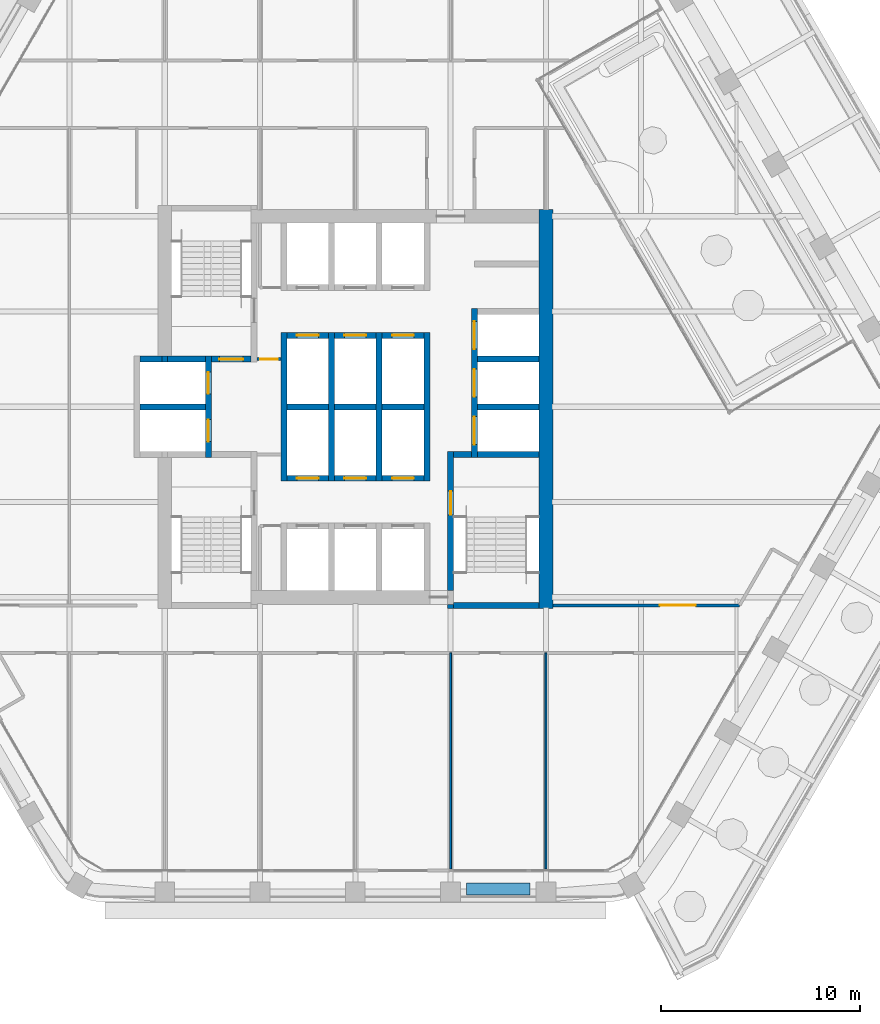
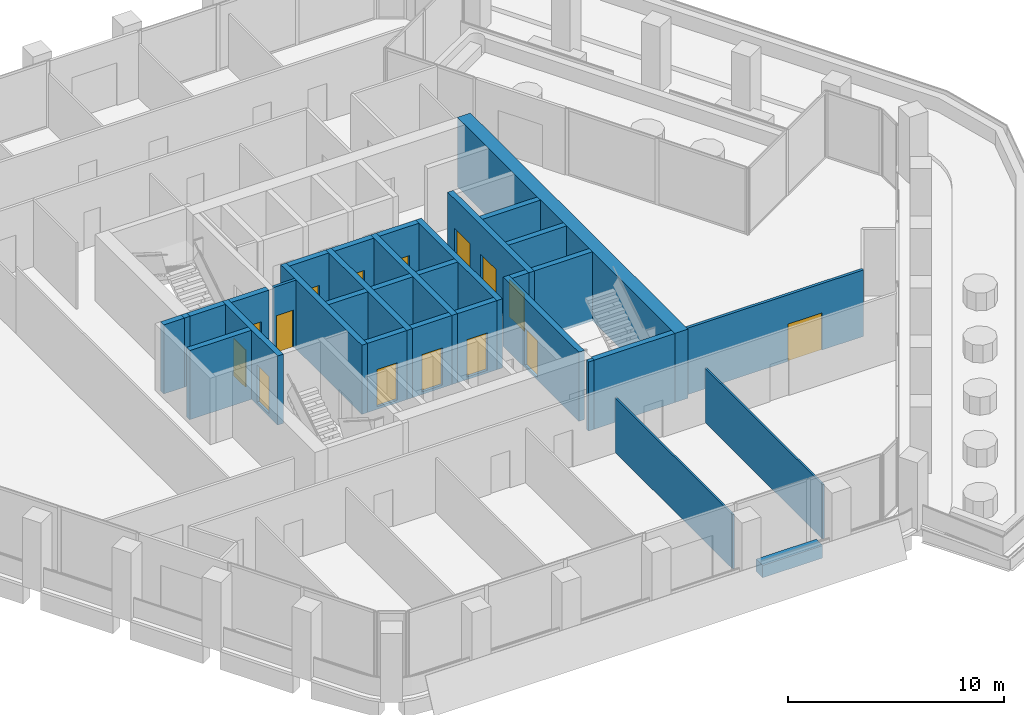
# One storey, part 12 of 17: 33 walls, 15 doors, 15 openings.
"""IFC4 building model written with IfcOpenShell, lengths in metres."""

import ifcopenshell
import ifcopenshell.guid

model = None  # the IFC model being written
_history = None  # IfcOwnerHistory: only IFC2X3 demands one
_inside = {}  # id of a spatial element -> (the spatial element, [elements in it])
_under = {}  # id of a project, library or spatial element -> (it, [spatial elements below it])
_declared = {}  # id of a project -> (the project, [libraries it declares])
_typed = {}  # id of a type object -> (the type object, [elements of that type])
_made_of = {}  # id of a material, layer set ... -> (it, [elements and type objects made of it])


def new_model(schema):
    """Start an empty IFC model of exactly this schema.

    Asked for "IFC4X3", IfcOpenShell would pick the latest addendum, in which some entities
    have other attributes; the version numbers below select the first issue.
    IFC2X3 requires an IfcOwnerHistory on every rooted entity: one is made here for all.
    """
    global model, _history
    if schema == "IFC4X3":
        model = ifcopenshell.file(schema_version=(4, 3, 0, 0))
    else:
        model = ifcopenshell.file(schema=schema)
    _inside.clear()
    _under.clear()
    _declared.clear()
    _typed.clear()
    _made_of.clear()
    _history = None
    if model.schema == "IFC2X3":
        org = make("IfcOrganization", Name="unknown")
        user = make(
            "IfcPersonAndOrganization",
            ThePerson=make("IfcPerson", FamilyName="unknown"),
            TheOrganization=org,
        )
        app = make(
            "IfcApplication",
            ApplicationDeveloper=org,
            Version="unknown",
            ApplicationFullName="unknown",
            ApplicationIdentifier="unknown",
        )
        _history = make(
            "IfcOwnerHistory",
            OwningUser=user,
            OwningApplication=app,
            ChangeAction="ADDED",
            CreationDate=0,
        )
    return model


def make(cls, **values):
    """One entity of the class cls with the attributes given. An attribute that is None is left unset."""
    return model.create_entity(
        cls, **{name: value for name, value in values.items() if value is not None}
    )


def rooted(cls, **values):
    """An entity with a GlobalId (a new one), such as an element, a storey or a relation."""
    return make(cls, GlobalId=ifcopenshell.guid.new(), OwnerHistory=_history, **values)


def si_unit(unit_type, name, prefix=None):
    """IfcSIUnit, for example si_unit("LENGTHUNIT", "METRE", prefix="MILLI")."""
    return make("IfcSIUnit", UnitType=unit_type, Prefix=prefix, Name=name)


def assignment(units):
    """IfcUnitAssignment: the units of a project."""
    return None if units is None else make("IfcUnitAssignment", Units=units)


def point(xyz):
    """IfcCartesianPoint."""
    return None if xyz is None else make("IfcCartesianPoint", Coordinates=xyz)


def direction(xyz):
    """IfcDirection."""
    return None if xyz is None else make("IfcDirection", DirectionRatios=xyz)


def frame(location, z_axis=None, x_axis=None):
    """IfcAxis2Placement3D, a coordinate frame: its origin and axes. An axis left out is left unset."""
    return make(
        "IfcAxis2Placement3D",
        Location=point(location),
        Axis=direction(z_axis),
        RefDirection=direction(x_axis),
    )


def frame_2d(location, x_axis=None):
    """IfcAxis2Placement2D, a coordinate frame in the plane: its origin and x axis."""
    return make(
        "IfcAxis2Placement2D", Location=point(location), RefDirection=direction(x_axis)
    )


def origin():
    """The frame at (0, 0, 0) with its axes left unset."""
    return frame((0.0, 0.0, 0.0))


def place(relative_to, where):
    """IfcLocalPlacement: puts the frame where relative to a parent placement (None: the world)."""
    return make(
        "IfcLocalPlacement", PlacementRelTo=relative_to, RelativePlacement=where
    )


def context(
    kind, dimensions, precision=None, world=None, true_north=None, identifier=None
):
    """IfcGeometricRepresentationContext, for example the 3D "Model" context."""
    return make(
        "IfcGeometricRepresentationContext",
        ContextIdentifier=identifier,
        ContextType=kind,
        CoordinateSpaceDimension=dimensions,
        Precision=precision,
        WorldCoordinateSystem=world,
        TrueNorth=true_north,
    )


def subcontext(parent, identifier, kind, view, scale=None):
    """IfcGeometricRepresentationSubContext, for example "Body" below "Model"."""
    return make(
        "IfcGeometricRepresentationSubContext",
        ContextIdentifier=identifier,
        ContextType=kind,
        ParentContext=parent,
        TargetScale=scale,
        TargetView=view,
    )


def project(units=None, contexts=None):
    """IfcProject with its units and contexts."""
    return rooted(
        "IfcProject",
        Name="project",
        RepresentationContexts=contexts,
        UnitsInContext=assignment(units),
    )


def spatial(cls, under=None, at=None, **own):
    """A site, building, storey or space (cls), placed at a placement, below another one or the project."""
    s = rooted(cls, ObjectPlacement=at, **own)
    if under is not None:
        _under.setdefault(under.id(), (under, []))[1].append(s)
    return s


def profile(cls, at=None, kind="AREA", **sizes):
    """A parametric profile (cls). Its sizes go by their IFC names, for example OverallWidth=200.0."""
    return make(cls, ProfileType=kind, Position=at, **sizes)


def rectangle(**sizes):
    """IfcRectangleProfileDef."""
    return profile("IfcRectangleProfileDef", **sizes)


def extrude(swept, where, along, depth):
    """IfcExtrudedAreaSolid: the profile swept, set in the frame where, extruded along a direction by depth."""
    return make(
        "IfcExtrudedAreaSolid",
        SweptArea=swept,
        Position=where,
        ExtrudedDirection=direction(along),
        Depth=depth,
    )


def shape(context_of_items, identifier, shape_type, items):
    """IfcShapeRepresentation: the items that make up one representation, for example the "Body"."""
    return make(
        "IfcShapeRepresentation",
        ContextOfItems=context_of_items,
        RepresentationIdentifier=identifier,
        RepresentationType=shape_type,
        Items=items,
    )


def material(Name=None, Category=None):
    """IfcMaterial."""
    return make("IfcMaterial", Name=Name, Category=Category)


def layer(
    of_material, thickness, ventilated=None, Name=None, Category=None, Priority=None
):
    """IfcMaterialLayer: one layer of a wall or slab, of a material (None: an air gap)."""
    return make(
        "IfcMaterialLayer",
        Material=of_material,
        LayerThickness=thickness,
        IsVentilated=ventilated,
        Name=Name,
        Category=Category,
        Priority=Priority,
    )


def layer_set(layers, Name=None):
    """IfcMaterialLayerSet."""
    return make("IfcMaterialLayerSet", MaterialLayers=layers, LayerSetName=Name)


def made_of(thing, what):
    """Note that an element or type object is made of a material, layer set ...; save() writes the relation."""
    if what is not None:
        _made_of.setdefault(what.id(), (what, []))[1].append(thing)
    return thing


def type_object(cls, material=None, **own):
    """A type object (cls), such as IfcWallType, which elements share."""
    return made_of(rooted(cls, **own), material)


def element(
    cls,
    number,
    at=None,
    inside=None,
    cuts=None,
    type_object=None,
    material=None,
    context=None,
    identifier="Body",
    shape_type=None,
    held_by="IfcProductDefinitionShape",
    body=None,
    shapes=None,
    **own,
):
    """One element of the class cls, such as IfcWall. Its Tag is "e" and its number.

    at: its placement. inside: the storey or other place that contains it. cuts: it is an
    opening in that element (IfcRelVoidsElement). A single representation is given by context,
    identifier, shape_type and body (its items); several are given by shapes. held_by: the class
    of the entity that holds the representations. save() writes the other relations.
    """
    e = rooted(cls, Tag="e%d" % number, ObjectPlacement=at, **own)
    if body is not None:
        shapes = [shape(context, identifier, shape_type, body)]
    if shapes is not None:
        e.Representation = make(held_by, Representations=shapes)
    if inside is not None:
        _inside.setdefault(inside.id(), (inside, []))[1].append(e)
    if cuts is not None:
        rooted(
            "IfcRelVoidsElement", RelatingBuildingElement=cuts, RelatedOpeningElement=e
        )
    if type_object is not None:
        _typed.setdefault(type_object.id(), (type_object, []))[1].append(e)
    return made_of(e, material)


def fill(opening, filler):
    """IfcRelFillsElement: the door or window that sits in an opening."""
    return rooted(
        "IfcRelFillsElement",
        RelatingOpeningElement=opening,
        RelatedBuildingElement=filler,
    )


def aggregate(whole, parts):
    """IfcRelAggregates: a whole, such as a stair, and the parts it consists of."""
    return rooted("IfcRelAggregates", RelatingObject=whole, RelatedObjects=parts)


def save(model, path):
    """Write the relations noted so far, then the file.

    IfcRelAggregates (storeys below a building ...), IfcRelContainedInSpatialStructure (elements
    in a storey), IfcRelDefinesByType, IfcRelAssociatesMaterial and IfcRelDeclares: one each for
    every whole, place, type object, material and project.
    """
    for whole, parts in _under.values():
        aggregate(whole, parts)
    for where, things in _inside.values():
        rooted(
            "IfcRelContainedInSpatialStructure",
            RelatedElements=things,
            RelatingStructure=where,
        )
    for kind, things in _typed.values():
        rooted("IfcRelDefinesByType", RelatedObjects=things, RelatingType=kind)
    for what, things in _made_of.values():
        rooted("IfcRelAssociatesMaterial", RelatedObjects=things, RelatingMaterial=what)
    for by, libraries in _declared.values():
        rooted("IfcRelDeclares", RelatingContext=by, RelatedDefinitions=libraries)
    model.write(path)


model = new_model("IFC4")

# Units and contexts
model_context = context("Model", 3, precision=1e-05, world=origin(), true_north=direction((0.0, 1.0)))
body_context = subcontext(model_context, "Body", "Model", "MODEL_VIEW")
ifc_project = project(units=[si_unit("LENGTHUNIT", "METRE"), si_unit("AREAUNIT", "SQUARE_METRE"), si_unit("VOLUMEUNIT", "CUBIC_METRE"), si_unit("PLANEANGLEUNIT", "RADIAN"), si_unit("MASSUNIT", "GRAM", prefix="KILO")], contexts=[model_context])

# Site, building, storey
site_placement = place(None, origin())
site = spatial("IfcSite", under=ifc_project, at=site_placement, CompositionType="ELEMENT")
building_placement = place(site_placement, origin())
building = spatial("IfcBuilding", under=site, at=building_placement, Name="Kolab Exchange Tower", CompositionType="ELEMENT")
storey_placement = place(building_placement, frame((0.0, 0.0, 181.699951171875)))
storey = spatial("IfcBuildingStorey", under=building, at=storey_placement, Name="L38", CompositionType="ELEMENT", Elevation=181.699951171875)

# Wall
ifc_material_1 = material(Name="Concrete C60/75", Category="concrete")
ifc_layer_1 = layer(ifc_material_1, 0.699951171875)
ifc_layer_set_1 = layer_set([ifc_layer_1], Name="Concrete C60/75")
wall_type_1 = type_object("IfcWallType", Name="CORE WALL 700 C60/75", PredefinedType="SHEAR", material=ifc_layer_set_1)
wall_1_placement = place(storey_placement, frame((9.60009765625, -10.14990234375, -0.14990234375), z_axis=(0.0, 0.0, 1.0), x_axis=(0.0, 1.0, 0.0)))
element("IfcWall", 1, at=wall_1_placement, inside=storey, type_object=wall_type_1, Name="wall/L38/core/058", PredefinedType="SHEAR", context=body_context, shape_type="SweptSolid", body=[
    extrude(rectangle(XDim=20.099853515625, YDim=0.699951171875, at=frame_2d((10.0498046875, 0.0))), origin(), (0.0, 0.0, 1.0), 3.89990234375),
])

# Wall, opening, door
ifc_material_2 = material(Name="Concrete C50/60", Category="concrete")
ifc_layer_2 = layer(ifc_material_2, 0.300048828125)
ifc_layer_set_2 = layer_set([ifc_layer_2], Name="Concrete C50/60")
wall_type_2 = type_object("IfcWallType", Name="LIFT SHAFT WALL 300 C50/60", PredefinedType="STANDARD", material=ifc_layer_set_2)
wall_2_placement = place(storey_placement, frame((-3.449951171875, -3.60009765625, -0.14990234375), z_axis=(0.0, 0.0, 1.0), x_axis=(1.0, 0.0, 0.0)))
wall_2 = element("IfcWall", 2, at=wall_2_placement, inside=storey, type_object=wall_type_2, Name="wall/L38/core/006", PredefinedType="STANDARD", context=body_context, shape_type="SweptSolid", body=[
    extrude(rectangle(XDim=2.099853515625, YDim=0.300048828125, at=frame_2d((1.0498046875, 0.0))), origin(), (0.0, 0.0, 1.0), 3.89990234375),
])
opening_1_placement = place(wall_2_placement, frame((0.5, 0.0, 0.14990234375)))
opening_1 = element("IfcOpeningElement", 3, at=opening_1_placement, cuts=wall_2, Name="Opening LD1-118", PredefinedType="OPENING", context=body_context, shape_type="SweptSolid", body=[
    extrude(rectangle(XDim=1.10009765625, YDim=2.10009765625, at=frame_2d((0.550048828125, 1.050048828125))), frame((0.0, 0.16015625, 0.0), z_axis=(0.0, -1.0, 0.0), x_axis=(1.0, 0.0, 0.0)), (0.0, 0.0, 1.0), 0.320068359375),
])
ifc_material_3 = material(Name="Stainless steel 316", Category="steel")
door_type_1 = type_object("IfcDoorType", Name="LANDING DOOR 1100 PASSENGER", OperationType="DOUBLE_DOOR_SLIDING", PredefinedType="DOOR", material=ifc_material_3)
door_1_placement = place(opening_1_placement, origin())
door_1 = element("IfcDoor", 4, at=door_1_placement, inside=storey, type_object=door_type_1, Name="Landing door HR7", OperationType="DOUBLE_DOOR_SLIDING", OverallHeight=2.10009765625, OverallWidth=1.10009765625, PredefinedType="DOOR", context=body_context, shape_type="SweptSolid", body=[
    extrude(rectangle(XDim=1.10009765625, YDim=2.10009765625, at=frame_2d((0.550048828125, 1.050048828125))), frame((0.0, 0.02490234375, 0.0), z_axis=(0.0, -1.0, 0.0), x_axis=(1.0, 0.0, 0.0)), (0.0, 0.0, 1.0), 0.050048828125),
])
fill(opening_1, door_1)

wall_3_placement = place(storey_placement, frame((-1.050048828125, -3.60009765625, -0.14990234375), z_axis=(0.0, 0.0, 1.0), x_axis=(1.0, 0.0, 0.0)))
wall_3 = element("IfcWall", 5, at=wall_3_placement, inside=storey, type_object=wall_type_2, Name="wall/L38/core/007", PredefinedType="STANDARD", context=body_context, shape_type="SweptSolid", body=[
    extrude(rectangle(XDim=2.10009765625, YDim=0.300048828125, at=frame_2d((1.050048828125, 0.0))), origin(), (0.0, 0.0, 1.0), 3.89990234375),
])
opening_2_placement = place(wall_3_placement, frame((0.5, 0.0, 0.14990234375)))
opening_2 = element("IfcOpeningElement", 6, at=opening_2_placement, cuts=wall_3, Name="Opening LD1-119", PredefinedType="OPENING", context=body_context, shape_type="SweptSolid", body=[
    extrude(rectangle(XDim=1.10009765625, YDim=2.10009765625, at=frame_2d((0.550048828125, 1.050048828125))), frame((0.0, 0.16015625, 0.0), z_axis=(0.0, -1.0, 0.0), x_axis=(1.0, 0.0, 0.0)), (0.0, 0.0, 1.0), 0.320068359375),
])
door_2_placement = place(opening_2_placement, origin())
door_2 = element("IfcDoor", 7, at=door_2_placement, inside=storey, type_object=door_type_1, Name="Landing door HR8", OperationType="DOUBLE_DOOR_SLIDING", OverallHeight=2.10009765625, OverallWidth=1.10009765625, PredefinedType="DOOR", context=body_context, shape_type="SweptSolid", body=[
    extrude(rectangle(XDim=1.10009765625, YDim=2.10009765625, at=frame_2d((0.550048828125, 1.050048828125))), frame((0.0, 0.02490234375, 0.0), z_axis=(0.0, -1.0, 0.0), x_axis=(1.0, 0.0, 0.0)), (0.0, 0.0, 1.0), 0.050048828125),
])
fill(opening_2, door_2)

wall_4_placement = place(storey_placement, frame((1.35009765625, -3.60009765625, -0.14990234375), z_axis=(0.0, 0.0, 1.0), x_axis=(1.0, 0.0, 0.0)))
wall_4 = element("IfcWall", 8, at=wall_4_placement, inside=storey, type_object=wall_type_2, Name="wall/L38/core/008", PredefinedType="STANDARD", context=body_context, shape_type="SweptSolid", body=[
    extrude(rectangle(XDim=2.099853515625, YDim=0.300048828125, at=frame_2d((1.0498046875, 0.0))), origin(), (0.0, 0.0, 1.0), 3.89990234375),
])
opening_3_placement = place(wall_4_placement, frame((0.5, 0.0, 0.14990234375)))
opening_3 = element("IfcOpeningElement", 9, at=opening_3_placement, cuts=wall_4, Name="Opening LD1-120", PredefinedType="OPENING", context=body_context, shape_type="SweptSolid", body=[
    extrude(rectangle(XDim=1.10009765625, YDim=2.10009765625, at=frame_2d((0.550048828125, 1.050048828125))), frame((0.0, 0.16015625, 0.0), z_axis=(0.0, -1.0, 0.0), x_axis=(1.0, 0.0, 0.0)), (0.0, 0.0, 1.0), 0.320068359375),
])
door_3_placement = place(opening_3_placement, origin())
door_3 = element("IfcDoor", 10, at=door_3_placement, inside=storey, type_object=door_type_1, Name="Landing door HR9", OperationType="DOUBLE_DOOR_SLIDING", OverallHeight=2.10009765625, OverallWidth=1.10009765625, PredefinedType="DOOR", context=body_context, shape_type="SweptSolid", body=[
    extrude(rectangle(XDim=1.10009765625, YDim=2.10009765625, at=frame_2d((0.550048828125, 1.050048828125))), frame((0.0, 0.02490234375, 0.0), z_axis=(0.0, -1.0, 0.0), x_axis=(1.0, 0.0, 0.0)), (0.0, 0.0, 1.0), 0.050048828125),
])
fill(opening_3, door_3)

# Walls
wall_5_placement = place(storey_placement, frame((-10.85009765625, 0.0, -0.14990234375), z_axis=(0.0, 0.0, 1.0), x_axis=(1.0, 0.0, 0.0)))
element("IfcWall", 11, at=wall_5_placement, inside=storey, type_object=wall_type_2, Name="wall/L38/core/014", PredefinedType="STANDARD", context=body_context, shape_type="SweptSolid", body=[
    extrude(rectangle(XDim=3.300048828125, YDim=0.300048828125, at=frame_2d((1.64990234375, 0.0))), origin(), (0.0, 0.0, 1.0), 3.89990234375),
])
wall_6_placement = place(storey_placement, frame((-3.449951171875, 0.0, -0.14990234375), z_axis=(0.0, 0.0, 1.0), x_axis=(1.0, 0.0, 0.0)))
element("IfcWall", 12, at=wall_6_placement, inside=storey, type_object=wall_type_2, Name="wall/L38/core/015", PredefinedType="STANDARD", context=body_context, shape_type="SweptSolid", body=[
    extrude(rectangle(XDim=2.099853515625, YDim=0.300048828125, at=frame_2d((1.0498046875, 0.0))), origin(), (0.0, 0.0, 1.0), 3.89990234375),
])
wall_7_placement = place(storey_placement, frame((-1.050048828125, 0.0, -0.14990234375), z_axis=(0.0, 0.0, 1.0), x_axis=(1.0, 0.0, 0.0)))
element("IfcWall", 13, at=wall_7_placement, inside=storey, type_object=wall_type_2, Name="wall/L38/core/016", PredefinedType="STANDARD", context=body_context, shape_type="SweptSolid", body=[
    extrude(rectangle(XDim=2.10009765625, YDim=0.300048828125, at=frame_2d((1.050048828125, 0.0))), origin(), (0.0, 0.0, 1.0), 3.89990234375),
])
wall_8_placement = place(storey_placement, frame((1.35009765625, 0.0, -0.14990234375), z_axis=(0.0, 0.0, 1.0), x_axis=(1.0, 0.0, 0.0)))
element("IfcWall", 14, at=wall_8_placement, inside=storey, type_object=wall_type_2, Name="wall/L38/core/017", PredefinedType="STANDARD", context=body_context, shape_type="SweptSolid", body=[
    extrude(rectangle(XDim=2.099853515625, YDim=0.300048828125, at=frame_2d((1.0498046875, 0.0))), origin(), (0.0, 0.0, 1.0), 3.89990234375),
])
wall_9_placement = place(storey_placement, frame((6.14990234375, 0.0, -0.14990234375), z_axis=(0.0, 0.0, 1.0), x_axis=(1.0, 0.0, 0.0)))
element("IfcWall", 15, at=wall_9_placement, inside=storey, type_object=wall_type_2, Name="wall/L38/core/018", PredefinedType="STANDARD", context=body_context, shape_type="SweptSolid", body=[
    extrude(rectangle(XDim=3.10009765625, YDim=0.300048828125, at=frame_2d((1.550048828125, 0.0))), origin(), (0.0, 0.0, 1.0), 3.89990234375),
])
wall_10_placement = place(storey_placement, frame((-10.85009765625, 2.39990234375, -0.14990234375), z_axis=(0.0, 0.0, 1.0), x_axis=(1.0, 0.0, 0.0)))
element("IfcWall", 16, at=wall_10_placement, inside=storey, type_object=wall_type_2, Name="wall/L38/core/019", PredefinedType="STANDARD", context=body_context, shape_type="SweptSolid", body=[
    extrude(rectangle(XDim=1.10009765625, YDim=0.300048828125, at=frame_2d((0.550048828125, 0.0))), origin(), (0.0, 0.0, 1.0), 3.89990234375),
])
wall_11_placement = place(storey_placement, frame((6.14990234375, 2.39990234375, -0.14990234375), z_axis=(0.0, 0.0, 1.0), x_axis=(1.0, 0.0, 0.0)))
element("IfcWall", 17, at=wall_11_placement, inside=storey, type_object=wall_type_2, Name="wall/L38/core/022", PredefinedType="STANDARD", context=body_context, shape_type="SweptSolid", body=[
    extrude(rectangle(XDim=3.10009765625, YDim=0.300048828125, at=frame_2d((1.550048828125, 0.0))), origin(), (0.0, 0.0, 1.0), 3.89990234375),
])

# Wall, opening, door
wall_12_placement = place(storey_placement, frame((-3.449951171875, 3.60009765625, -0.14990234375), z_axis=(0.0, 0.0, 1.0), x_axis=(1.0, 0.0, 0.0)))
wall_12 = element("IfcWall", 18, at=wall_12_placement, inside=storey, type_object=wall_type_2, Name="wall/L38/core/023", PredefinedType="STANDARD", context=body_context, shape_type="SweptSolid", body=[
    extrude(rectangle(XDim=2.099853515625, YDim=0.300048828125, at=frame_2d((1.0498046875, 0.0))), origin(), (0.0, 0.0, 1.0), 3.89990234375),
])
opening_4_placement = place(wall_12_placement, frame((0.5, 0.0, 0.14990234375)))
opening_4 = element("IfcOpeningElement", 19, at=opening_4_placement, cuts=wall_12, Name="Opening LD1-115", PredefinedType="OPENING", context=body_context, shape_type="SweptSolid", body=[
    extrude(rectangle(XDim=1.10009765625, YDim=2.10009765625, at=frame_2d((0.550048828125, 1.050048828125))), frame((0.0, 0.16015625, 0.0), z_axis=(0.0, -1.0, 0.0), x_axis=(1.0, 0.0, 0.0)), (0.0, 0.0, 1.0), 0.320068359375),
])
door_4_placement = place(opening_4_placement, origin())
door_4 = element("IfcDoor", 20, at=door_4_placement, inside=storey, type_object=door_type_1, Name="Landing door HR4", OperationType="DOUBLE_DOOR_SLIDING", OverallHeight=2.10009765625, OverallWidth=1.10009765625, PredefinedType="DOOR", context=body_context, shape_type="SweptSolid", body=[
    extrude(rectangle(XDim=1.10009765625, YDim=2.10009765625, at=frame_2d((0.550048828125, 1.050048828125))), frame((0.0, 0.02490234375, 0.0), z_axis=(0.0, -1.0, 0.0), x_axis=(1.0, 0.0, 0.0)), (0.0, 0.0, 1.0), 0.050048828125),
])
fill(opening_4, door_4)

wall_13_placement = place(storey_placement, frame((-1.050048828125, 3.60009765625, -0.14990234375), z_axis=(0.0, 0.0, 1.0), x_axis=(1.0, 0.0, 0.0)))
wall_13 = element("IfcWall", 21, at=wall_13_placement, inside=storey, type_object=wall_type_2, Name="wall/L38/core/024", PredefinedType="STANDARD", context=body_context, shape_type="SweptSolid", body=[
    extrude(rectangle(XDim=2.10009765625, YDim=0.300048828125, at=frame_2d((1.050048828125, 0.0))), origin(), (0.0, 0.0, 1.0), 3.89990234375),
])
opening_5_placement = place(wall_13_placement, frame((0.5, 0.0, 0.14990234375)))
opening_5 = element("IfcOpeningElement", 22, at=opening_5_placement, cuts=wall_13, Name="Opening LD1-116", PredefinedType="OPENING", context=body_context, shape_type="SweptSolid", body=[
    extrude(rectangle(XDim=1.10009765625, YDim=2.10009765625, at=frame_2d((0.550048828125, 1.050048828125))), frame((0.0, 0.16015625, 0.0), z_axis=(0.0, -1.0, 0.0), x_axis=(1.0, 0.0, 0.0)), (0.0, 0.0, 1.0), 0.320068359375),
])
door_5_placement = place(opening_5_placement, origin())
door_5 = element("IfcDoor", 23, at=door_5_placement, inside=storey, type_object=door_type_1, Name="Landing door HR5", OperationType="DOUBLE_DOOR_SLIDING", OverallHeight=2.10009765625, OverallWidth=1.10009765625, PredefinedType="DOOR", context=body_context, shape_type="SweptSolid", body=[
    extrude(rectangle(XDim=1.10009765625, YDim=2.10009765625, at=frame_2d((0.550048828125, 1.050048828125))), frame((0.0, 0.02490234375, 0.0), z_axis=(0.0, -1.0, 0.0), x_axis=(1.0, 0.0, 0.0)), (0.0, 0.0, 1.0), 0.050048828125),
])
fill(opening_5, door_5)

wall_14_placement = place(storey_placement, frame((1.35009765625, 3.60009765625, -0.14990234375), z_axis=(0.0, 0.0, 1.0), x_axis=(1.0, 0.0, 0.0)))
wall_14 = element("IfcWall", 24, at=wall_14_placement, inside=storey, type_object=wall_type_2, Name="wall/L38/core/025", PredefinedType="STANDARD", context=body_context, shape_type="SweptSolid", body=[
    extrude(rectangle(XDim=2.099853515625, YDim=0.300048828125, at=frame_2d((1.0498046875, 0.0))), origin(), (0.0, 0.0, 1.0), 3.89990234375),
])
opening_6_placement = place(wall_14_placement, frame((0.5, 0.0, 0.14990234375)))
opening_6 = element("IfcOpeningElement", 25, at=opening_6_placement, cuts=wall_14, Name="Opening LD1-117", PredefinedType="OPENING", context=body_context, shape_type="SweptSolid", body=[
    extrude(rectangle(XDim=1.10009765625, YDim=2.10009765625, at=frame_2d((0.550048828125, 1.050048828125))), frame((0.0, 0.16015625, 0.0), z_axis=(0.0, -1.0, 0.0), x_axis=(1.0, 0.0, 0.0)), (0.0, 0.0, 1.0), 0.320068359375),
])
door_6_placement = place(opening_6_placement, origin())
door_6 = element("IfcDoor", 26, at=door_6_placement, inside=storey, type_object=door_type_1, Name="Landing door HR6", OperationType="DOUBLE_DOOR_SLIDING", OverallHeight=2.10009765625, OverallWidth=1.10009765625, PredefinedType="DOOR", context=body_context, shape_type="SweptSolid", body=[
    extrude(rectangle(XDim=1.10009765625, YDim=2.10009765625, at=frame_2d((0.550048828125, 1.050048828125))), frame((0.0, 0.02490234375, 0.0), z_axis=(0.0, -1.0, 0.0), x_axis=(1.0, 0.0, 0.0)), (0.0, 0.0, 1.0), 0.050048828125),
])
fill(opening_6, door_6)

# Wall, openings, doors
wall_15_placement = place(storey_placement, frame((-7.39990234375, -2.550048828125, -0.14990234375), z_axis=(0.0, 0.0, 1.0), x_axis=(0.0, 1.0, 0.0)))
wall_15 = element("IfcWall", 27, at=wall_15_placement, inside=storey, type_object=wall_type_2, Name="wall/L38/core/038", PredefinedType="STANDARD", context=body_context, shape_type="SweptSolid", body=[
    extrude(rectangle(XDim=5.10009765625, YDim=0.300048828125, at=frame_2d((2.550048828125, 0.0))), origin(), (0.0, 0.0, 1.0), 3.89990234375),
])
opening_7_placement = place(wall_15_placement, frame((0.800048828125, 0.0, 0.14990234375)))
opening_7 = element("IfcOpeningElement", 28, at=opening_7_placement, cuts=wall_15, Name="Opening LD2-025", PredefinedType="OPENING", context=body_context, shape_type="SweptSolid", body=[
    extrude(rectangle(XDim=1.10009765625, YDim=2.10009765625, at=frame_2d((0.550048828125, 1.050048828125))), frame((0.0, 0.16015625, 0.0), z_axis=(0.0, -1.0, 0.0), x_axis=(1.0, 0.0, 0.0)), (0.0, 0.0, 1.0), 0.320068359375),
])
opening_8_placement = place(wall_15_placement, frame((3.199951171875, 0.0, 0.14990234375)))
opening_8 = element("IfcOpeningElement", 29, at=opening_8_placement, cuts=wall_15, Name="Opening LD2-026", PredefinedType="OPENING", context=body_context, shape_type="SweptSolid", body=[
    extrude(rectangle(XDim=1.10009765625, YDim=2.10009765625, at=frame_2d((0.550048828125, 1.050048828125))), frame((0.0, 0.16015625, 0.0), z_axis=(0.0, -1.0, 0.0), x_axis=(1.0, 0.0, 0.0)), (0.0, 0.0, 1.0), 0.320068359375),
])
door_type_2 = type_object("IfcDoorType", Name="LANDING DOOR 1100 FIREFIGHTING", OperationType="DOUBLE_DOOR_SLIDING", PredefinedType="DOOR", material=ifc_material_3)
door_7_placement = place(opening_7_placement, origin())
door_7 = element("IfcDoor", 30, at=door_7_placement, inside=storey, type_object=door_type_2, Name="Landing door FF1", OperationType="DOUBLE_DOOR_SLIDING", OverallHeight=2.10009765625, OverallWidth=1.10009765625, PredefinedType="DOOR", context=body_context, shape_type="SweptSolid", body=[
    extrude(rectangle(XDim=1.10009765625, YDim=2.10009765625, at=frame_2d((0.550048828125, 1.050048828125))), frame((0.0, 0.02490234375, 0.0), z_axis=(0.0, -1.0, 0.0), x_axis=(1.0, 0.0, 0.0)), (0.0, 0.0, 1.0), 0.050048828125),
])
fill(opening_7, door_7)
door_8_placement = place(opening_8_placement, origin())
door_8 = element("IfcDoor", 31, at=door_8_placement, inside=storey, type_object=door_type_2, Name="Landing door FF2", OperationType="DOUBLE_DOOR_SLIDING", OverallHeight=2.10009765625, OverallWidth=1.10009765625, PredefinedType="DOOR", context=body_context, shape_type="SweptSolid", body=[
    extrude(rectangle(XDim=1.10009765625, YDim=2.10009765625, at=frame_2d((0.550048828125, 1.050048828125))), frame((0.0, 0.02490234375, 0.0), z_axis=(0.0, -1.0, 0.0), x_axis=(1.0, 0.0, 0.0)), (0.0, 0.0, 1.0), 0.050048828125),
])
fill(opening_8, door_8)

# Walls
for number, where, z_axis, x_axis, name in (
    (32, (-3.60009765625, -3.75, -0.14990234375), (0.0, 0.0, 1.0), (0.0, 1.0, 0.0), "wall/L38/core/044"),
    (33, (-1.199951171875, -3.75, -0.14990234375), (0.0, 0.0, 1.0), (0.0, 1.0, 0.0), "wall/L38/core/047"),
    (34, (1.199951171875, -3.75, -0.14990234375), (0.0, 0.0, 1.0), (0.0, 1.0, 0.0), "wall/L38/core/050"),
    (35, (3.60009765625, -3.75, -0.14990234375), (0.0, 0.0, 1.0), (0.0, 1.0, 0.0), "wall/L38/core/053"),
):
    element("IfcWall", number, at=place(storey_placement, frame(where, z_axis=z_axis, x_axis=x_axis)), inside=storey, type_object=wall_type_2, Name=name, PredefinedType="STANDARD", context=body_context, shape_type="SweptSolid", body=[
        extrude(rectangle(XDim=7.5, YDim=0.300048828125, at=frame_2d((3.75, 0.0))), origin(), (0.0, 0.0, 1.0), 3.89990234375),
    ])

# Wall, openings, doors
wall_16_placement = place(storey_placement, frame((6.0, -2.550048828125, -0.14990234375), z_axis=(0.0, 0.0, 1.0), x_axis=(0.0, 1.0, 0.0)))
wall_16 = element("IfcWall", 36, at=wall_16_placement, inside=storey, type_object=wall_type_2, Name="wall/L38/core/057", PredefinedType="STANDARD", context=body_context, shape_type="SweptSolid", body=[
    extrude(rectangle(XDim=7.5, YDim=0.300048828125, at=frame_2d((3.75, 0.0))), origin(), (0.0, 0.0, 1.0), 3.89990234375),
])
opening_9_placement = place(wall_16_placement, frame((0.64990234375, 0.0, 0.14990234375)))
opening_9 = element("IfcOpeningElement", 37, at=opening_9_placement, cuts=wall_16, Name="Opening LD3-037", PredefinedType="OPENING", context=body_context, shape_type="SweptSolid", body=[
    extrude(rectangle(XDim=1.39990234375, YDim=2.10009765625, at=frame_2d((0.699951171875, 1.050048828125))), frame((0.0, 0.16015625, 0.0), z_axis=(0.0, -1.0, 0.0), x_axis=(1.0, 0.0, 0.0)), (0.0, 0.0, 1.0), 0.320068359375),
])
opening_10_placement = place(wall_16_placement, frame((3.050048828125, 0.0, 0.14990234375)))
opening_10 = element("IfcOpeningElement", 38, at=opening_10_placement, cuts=wall_16, Name="Opening LD3-038", PredefinedType="OPENING", context=body_context, shape_type="SweptSolid", body=[
    extrude(rectangle(XDim=1.39990234375, YDim=2.10009765625, at=frame_2d((0.699951171875, 1.050048828125))), frame((0.0, 0.16015625, 0.0), z_axis=(0.0, -1.0, 0.0), x_axis=(1.0, 0.0, 0.0)), (0.0, 0.0, 1.0), 0.320068359375),
])
opening_11_placement = place(wall_16_placement, frame((5.449951171875, 0.0, 0.14990234375)))
opening_11 = element("IfcOpeningElement", 39, at=opening_11_placement, cuts=wall_16, Name="Opening LD3-039", PredefinedType="OPENING", context=body_context, shape_type="SweptSolid", body=[
    extrude(rectangle(XDim=1.39990234375, YDim=2.10009765625, at=frame_2d((0.699951171875, 1.050048828125))), frame((0.0, 0.16015625, 0.0), z_axis=(0.0, -1.0, 0.0), x_axis=(1.0, 0.0, 0.0)), (0.0, 0.0, 1.0), 0.320068359375),
])
door_type_3 = type_object("IfcDoorType", Name="LANDING DOOR 1400 SERVICE", OperationType="DOUBLE_DOOR_SLIDING", PredefinedType="DOOR", material=ifc_material_3)
door_9_placement = place(opening_9_placement, origin())
door_9 = element("IfcDoor", 40, at=door_9_placement, inside=storey, type_object=door_type_3, Name="Landing door SV1", OperationType="DOUBLE_DOOR_SLIDING", OverallHeight=2.10009765625, OverallWidth=1.39990234375, PredefinedType="DOOR", context=body_context, shape_type="SweptSolid", body=[
    extrude(rectangle(XDim=1.39990234375, YDim=2.10009765625, at=frame_2d((0.699951171875, 1.050048828125))), frame((0.0, 0.02490234375, 0.0), z_axis=(0.0, -1.0, 0.0), x_axis=(1.0, 0.0, 0.0)), (0.0, 0.0, 1.0), 0.050048828125),
])
fill(opening_9, door_9)
door_10_placement = place(opening_10_placement, origin())
door_10 = element("IfcDoor", 41, at=door_10_placement, inside=storey, type_object=door_type_3, Name="Landing door SV2", OperationType="DOUBLE_DOOR_SLIDING", OverallHeight=2.10009765625, OverallWidth=1.39990234375, PredefinedType="DOOR", context=body_context, shape_type="SweptSolid", body=[
    extrude(rectangle(XDim=1.39990234375, YDim=2.10009765625, at=frame_2d((0.699951171875, 1.050048828125))), frame((0.0, 0.02490234375, 0.0), z_axis=(0.0, -1.0, 0.0), x_axis=(1.0, 0.0, 0.0)), (0.0, 0.0, 1.0), 0.050048828125),
])
fill(opening_10, door_10)
door_11_placement = place(opening_11_placement, origin())
door_11 = element("IfcDoor", 42, at=door_11_placement, inside=storey, type_object=door_type_3, Name="Landing door SV3", OperationType="DOUBLE_DOOR_SLIDING", OverallHeight=2.10009765625, OverallWidth=1.39990234375, PredefinedType="DOOR", context=body_context, shape_type="SweptSolid", body=[
    extrude(rectangle(XDim=1.39990234375, YDim=2.10009765625, at=frame_2d((0.699951171875, 1.050048828125))), frame((0.0, 0.02490234375, 0.0), z_axis=(0.0, -1.0, 0.0), x_axis=(1.0, 0.0, 0.0)), (0.0, 0.0, 1.0), 0.050048828125),
])
fill(opening_11, door_11)

# Walls
ifc_material_4 = material(Name="Gypsum board", Category="gypsum")
ifc_layer_3 = layer(ifc_material_4, 0.10009765625)
ifc_layer_set_3 = layer_set([ifc_layer_3], Name="Gypsum board")
wall_type_3 = type_object("IfcWallType", Name="PARTITION 100", PredefinedType="PARTITIONING", material=ifc_layer_set_3)
wall_17_placement = place(storey_placement, frame((9.60009765625, -23.271484375, 0.0), z_axis=(0.0, 0.0, 1.0), x_axis=(0.0, 1.0, 0.0)))
element("IfcWall", 43, at=wall_17_placement, inside=storey, type_object=wall_type_3, Name="Partition 000", PredefinedType="PARTITIONING", context=body_context, shape_type="SweptSolid", body=[
    extrude(rectangle(XDim=10.87158203125, YDim=0.10009765625, at=frame_2d((5.435791015625, 0.0))), origin(), (0.0, 0.0, 1.0), 3.066162109375),
])
wall_18_placement = place(storey_placement, frame((4.800048828125, -23.281494140625, 0.0), z_axis=(0.0, 0.0, 1.0), x_axis=(0.0, 1.0, 0.0)))
element("IfcWall", 44, at=wall_18_placement, inside=storey, type_object=wall_type_3, Name="Partition 003", PredefinedType="PARTITIONING", context=body_context, shape_type="SweptSolid", body=[
    extrude(rectangle(XDim=10.881591796875, YDim=0.10009765625, at=frame_2d((5.44091796875, 0.0))), origin(), (0.0, 0.0, 1.0), 3.066162109375),
])

# Wall, opening, door
ifc_layer_4 = layer(ifc_material_4, 0.14990234375)
ifc_layer_set_4 = layer_set([ifc_layer_4], Name="Gypsum board")
wall_type_4 = type_object("IfcWallType", Name="PARTITION 150 FIRE-RATED", PredefinedType="PARTITIONING", material=ifc_layer_set_4)
wall_19_placement = place(storey_placement, frame((9.949951171875, -10.0, 0.0), z_axis=(0.0, 0.0, 1.0), x_axis=(1.0, 0.0, 0.0)))
wall_19 = element("IfcWall", 45, at=wall_19_placement, inside=storey, type_object=wall_type_4, Name="Partition 025", PredefinedType="PARTITIONING", context=body_context, shape_type="SweptSolid", body=[
    extrude(rectangle(XDim=9.404541015625, YDim=0.14990234375, at=frame_2d((4.7021484375, 0.0))), origin(), (0.0, 0.0, 1.0), 3.75),
])
opening_12_placement = place(wall_19_placement, frame((5.390869140625, 0.0, 0.0)))
opening_12 = element("IfcOpeningElement", 46, at=opening_12_placement, cuts=wall_19, Name="Opening D2-053", PredefinedType="OPENING", context=body_context, shape_type="SweptSolid", body=[
    extrude(rectangle(XDim=1.800048828125, YDim=2.10009765625, at=frame_2d((0.89990234375, 1.050048828125))), frame((0.0, 0.0849609375, 0.0), z_axis=(0.0, -1.0, 0.0), x_axis=(1.0, 0.0, 0.0)), (0.0, 0.0, 1.0), 0.169921875),
])
ifc_material_5 = material(Name="Steel S235", Category="steel")
door_type_4 = type_object("IfcDoorType", Name="DOUBLE DOOR 1800 FD60", OperationType="DOUBLE_DOOR_SINGLE_SWING", PredefinedType="DOOR", material=ifc_material_5)
door_12_placement = place(opening_12_placement, origin())
door_12 = element("IfcDoor", 47, at=door_12_placement, inside=storey, type_object=door_type_4, Name="Door L38-046", OperationType="SINGLE_SWING_RIGHT", OverallHeight=2.10009765625, OverallWidth=1.800048828125, PredefinedType="DOOR", context=body_context, shape_type="SweptSolid", body=[
    extrude(rectangle(XDim=1.800048828125, YDim=2.10009765625, at=frame_2d((0.89990234375, 1.050048828125))), frame((0.0, 0.02490234375, 0.0), z_axis=(0.0, -1.0, 0.0), x_axis=(1.0, 0.0, 0.0)), (0.0, 0.0, 1.0), 0.050048828125),
])
fill(opening_12, door_12)

wall_20_placement = place(storey_placement, frame((-4.949951171875, 2.39990234375, 0.0), z_axis=(0.0, 0.0, 1.0), x_axis=(1.0, 0.0, 0.0)))
wall_20 = element("IfcWall", 48, at=wall_20_placement, inside=storey, type_object=wall_type_4, Name="Fire partition", PredefinedType="PARTITIONING", context=body_context, shape_type="SweptSolid", body=[
    extrude(rectangle(XDim=1.199951171875, YDim=0.14990234375, at=frame_2d((0.60009765625, 0.0))), origin(), (0.0, 0.0, 1.0), 3.75),
])
opening_13_placement = place(wall_20_placement, frame((0.14990234375, 0.0, 0.0)))
opening_13 = element("IfcOpeningElement", 49, at=opening_13_placement, cuts=wall_20, Name="Opening D6-288", PredefinedType="OPENING", context=body_context, shape_type="SweptSolid", body=[
    extrude(rectangle(XDim=0.89990234375, YDim=2.10009765625, at=frame_2d((0.449951171875, 1.050048828125))), frame((0.0, 0.0849609375, 0.0), z_axis=(0.0, -1.0, 0.0), x_axis=(1.0, 0.0, 0.0)), (0.0, 0.0, 1.0), 0.169921875),
])
door_type_5 = type_object("IfcDoorType", Name="CORE DOOR 900 EI 120", OperationType="SINGLE_SWING_LEFT", PredefinedType="DOOR", material=ifc_material_5)
door_13_placement = place(opening_13_placement, frame((0.89990234375, 0.0, 0.0), z_axis=(0.0, 0.0, 1.0), x_axis=(-1.0, 0.0, 0.0)))
door_13 = element("IfcDoor", 50, at=door_13_placement, inside=storey, type_object=door_type_5, Name="Firefighting lobby door", OperationType="SINGLE_SWING_RIGHT", OverallHeight=2.10009765625, OverallWidth=0.89990234375, PredefinedType="DOOR", context=body_context, shape_type="SweptSolid", body=[
    extrude(rectangle(XDim=0.89990234375, YDim=2.10009765625, at=frame_2d((0.449951171875, 1.050048828125))), frame((0.0, 0.02490234375, 0.0), z_axis=(0.0, -1.0, 0.0), x_axis=(1.0, 0.0, 0.0)), (0.0, 0.0, 1.0), 0.050048828125),
])
fill(opening_13, door_13)

# Walls
ifc_material_6 = material(Name="Granite facing", Category="masonry")
ifc_layer_5 = layer(ifc_material_6, 0.0400390625)
ifc_material_7 = material(Name="Concrete C40/50 precast", Category="concrete")
ifc_layer_6 = layer(ifc_material_7, 0.56005859375)
ifc_layer_set_5 = layer_set([ifc_layer_5, ifc_layer_6], Name="Concrete C40/50 precast")
wall_type_5 = type_object("IfcWallType", Name="PLANTER BOX 600 X 700 SOIL DEPTH 550", PredefinedType="USERDEFINED", material=ifc_layer_set_5)
wall_21_placement = place(storey_placement, frame((8.800048828125, -24.29150390625, 0.0), z_axis=(0.0, 0.0, 1.0), x_axis=(-1.0, 0.0, 0.0)))
element("IfcWall", 51, at=wall_21_placement, inside=storey, type_object=wall_type_5, Name="Planter", ObjectType="PLANTER", PredefinedType="USERDEFINED", context=body_context, shape_type="SweptSolid", body=[
    extrude(rectangle(XDim=3.199951171875, YDim=0.60009765625, at=frame_2d((1.60009765625, 0.0))), origin(), (0.0, 0.0, 1.0), 0.699951171875),
])
ifc_layer_7 = layer(ifc_material_2, 0.300048828125)
ifc_layer_set_6 = layer_set([ifc_layer_7], Name="Concrete C50/60")
wall_type_6 = type_object("IfcWallType", Name="STAIR ENCLOSURE WALL 300 C50/60", PredefinedType="STANDARD", material=ifc_layer_set_6)
wall_22_placement = place(storey_placement, frame((4.949951171875, -10.0, -0.14990234375), z_axis=(0.0, 0.0, 1.0), x_axis=(1.0, 0.0, 0.0)))
element("IfcWall", 52, at=wall_22_placement, inside=storey, type_object=wall_type_6, Name="wall/L38/core/001", PredefinedType="STANDARD", context=body_context, shape_type="SweptSolid", body=[
    extrude(rectangle(XDim=4.300048828125, YDim=0.300048828125, at=frame_2d((2.14990234375, 0.0))), origin(), (0.0, 0.0, 1.0), 3.89990234375),
])
wall_23_placement = place(storey_placement, frame((4.949951171875, -2.39990234375, -0.14990234375), z_axis=(0.0, 0.0, 1.0), x_axis=(1.0, 0.0, 0.0)))
element("IfcWall", 53, at=wall_23_placement, inside=storey, type_object=wall_type_6, Name="wall/L38/core/012", PredefinedType="STANDARD", context=body_context, shape_type="SweptSolid", body=[
    extrude(rectangle(XDim=0.900146484375, YDim=0.300048828125, at=frame_2d((0.4501953125, 0.0))), origin(), (0.0, 0.0, 1.0), 3.89990234375),
])
wall_24_placement = place(storey_placement, frame((6.14990234375, -2.39990234375, -0.14990234375), z_axis=(0.0, 0.0, 1.0), x_axis=(1.0, 0.0, 0.0)))
element("IfcWall", 54, at=wall_24_placement, inside=storey, type_object=wall_type_6, Name="wall/L38/core/013", PredefinedType="STANDARD", context=body_context, shape_type="SweptSolid", body=[
    extrude(rectangle(XDim=3.10009765625, YDim=0.300048828125, at=frame_2d((1.550048828125, 0.0))), origin(), (0.0, 0.0, 1.0), 3.89990234375),
])
wall_25_placement = place(storey_placement, frame((-9.449951171875, 2.39990234375, -0.14990234375), z_axis=(0.0, 0.0, 1.0), x_axis=(1.0, 0.0, 0.0)))
element("IfcWall", 55, at=wall_25_placement, inside=storey, type_object=wall_type_6, Name="wall/L38/core/020", PredefinedType="STANDARD", context=body_context, shape_type="SweptSolid", body=[
    extrude(rectangle(XDim=1.89990234375, YDim=0.300048828125, at=frame_2d((0.949951171875, 0.0))), origin(), (0.0, 0.0, 1.0), 3.89990234375),
])

# Wall, opening, door
wall_26_placement = place(storey_placement, frame((-7.25, 2.39990234375, -0.14990234375), z_axis=(0.0, 0.0, 1.0), x_axis=(1.0, 0.0, 0.0)))
wall_26 = element("IfcWall", 56, at=wall_26_placement, inside=storey, type_object=wall_type_6, Name="wall/L38/core/021", PredefinedType="STANDARD", context=body_context, shape_type="SweptSolid", body=[
    extrude(rectangle(XDim=2.0, YDim=0.300048828125, at=frame_2d((1.0, 0.0))), origin(), (0.0, 0.0, 1.0), 3.89990234375),
])
opening_14_placement = place(wall_26_placement, frame((0.39990234375, 0.0, 0.14990234375)))
opening_14 = element("IfcOpeningElement", 57, at=opening_14_placement, cuts=wall_26, Name="Opening D4-065", PredefinedType="OPENING", context=body_context, shape_type="SweptSolid", body=[
    extrude(rectangle(XDim=1.199951171875, YDim=2.10009765625, at=frame_2d((0.60009765625, 1.050048828125))), frame((0.0, 0.16015625, 0.0), z_axis=(0.0, -1.0, 0.0), x_axis=(1.0, 0.0, 0.0)), (0.0, 0.0, 1.0), 0.320068359375),
])
door_type_6 = type_object("IfcDoorType", Name="STAIR DOOR 1200 EI 120", OperationType="SINGLE_SWING_LEFT", PredefinedType="DOOR", material=ifc_material_5)
door_14_placement = place(opening_14_placement, origin())
door_14 = element("IfcDoor", 58, at=door_14_placement, inside=storey, type_object=door_type_6, Name="Stair 1 door", OperationType="SINGLE_SWING_RIGHT", OverallHeight=2.10009765625, OverallWidth=1.199951171875, PredefinedType="DOOR", context=body_context, shape_type="SweptSolid", body=[
    extrude(rectangle(XDim=1.199951171875, YDim=2.10009765625, at=frame_2d((0.60009765625, 1.050048828125))), frame((0.0, 0.02490234375, 0.0), z_axis=(0.0, -1.0, 0.0), x_axis=(1.0, 0.0, 0.0)), (0.0, 0.0, 1.0), 0.050048828125),
])
fill(opening_14, door_14)

# Walls
wall_27_placement = place(storey_placement, frame((-9.60009765625, 2.25, -0.14990234375), z_axis=(0.0, 0.0, 1.0), x_axis=(0.0, 1.0, 0.0)))
element("IfcWall", 59, at=wall_27_placement, inside=storey, type_object=wall_type_6, Name="wall/L38/core/036", PredefinedType="STANDARD", context=body_context, shape_type="SweptSolid", body=[
    extrude(rectangle(XDim=0.300048828125, YDim=0.300048828125, at=frame_2d((0.14990234375, 0.0))), origin(), (0.0, 0.0, 1.0), 3.89990234375),
])
wall_28_placement = place(storey_placement, frame((4.800048828125, -10.14990234375, -0.14990234375), z_axis=(0.0, 0.0, 1.0), x_axis=(0.0, 1.0, 0.0)))
element("IfcWall", 60, at=wall_28_placement, inside=storey, type_object=wall_type_6, Name="wall/L38/core/055", PredefinedType="STANDARD", context=body_context, shape_type="SweptSolid", body=[
    extrude(rectangle(XDim=0.199951171875, YDim=0.300048828125, at=frame_2d((0.10009765625, 0.0))), origin(), (0.0, 0.0, 1.0), 3.89990234375),
])

# Wall, opening, door
wall_29_placement = place(storey_placement, frame((4.800048828125, -9.25, -0.14990234375), z_axis=(0.0, 0.0, 1.0), x_axis=(0.0, 1.0, 0.0)))
wall_29 = element("IfcWall", 61, at=wall_29_placement, inside=storey, type_object=wall_type_6, Name="wall/L38/core/056", PredefinedType="STANDARD", context=body_context, shape_type="SweptSolid", body=[
    extrude(rectangle(XDim=7.0, YDim=0.300048828125, at=frame_2d((3.5, 0.0))), origin(), (0.0, 0.0, 1.0), 3.89990234375),
])
opening_15_placement = place(wall_29_placement, frame((3.800048828125, 0.0, 0.14990234375)))
opening_15 = element("IfcOpeningElement", 62, at=opening_15_placement, cuts=wall_29, Name="Opening D4-067", PredefinedType="OPENING", context=body_context, shape_type="SweptSolid", body=[
    extrude(rectangle(XDim=1.199951171875, YDim=2.10009765625, at=frame_2d((0.60009765625, 1.050048828125))), frame((0.0, 0.16015625, 0.0), z_axis=(0.0, -1.0, 0.0), x_axis=(1.0, 0.0, 0.0)), (0.0, 0.0, 1.0), 0.320068359375),
])
door_15_placement = place(opening_15_placement, frame((1.199951171875, 0.0, 0.0), z_axis=(0.0, 0.0, 1.0), x_axis=(-1.0, 0.0, 0.0)))
door_15 = element("IfcDoor", 63, at=door_15_placement, inside=storey, type_object=door_type_6, Name="Stair 2 door", OperationType="SINGLE_SWING_RIGHT", OverallHeight=2.10009765625, OverallWidth=1.199951171875, PredefinedType="DOOR", context=body_context, shape_type="SweptSolid", body=[
    extrude(rectangle(XDim=1.199951171875, YDim=2.10009765625, at=frame_2d((0.60009765625, 1.050048828125))), frame((0.0, 0.02490234375, 0.0), z_axis=(0.0, -1.0, 0.0), x_axis=(1.0, 0.0, 0.0)), (0.0, 0.0, 1.0), 0.050048828125),
])
fill(opening_15, door_15)

save(model, "model.ifc")
